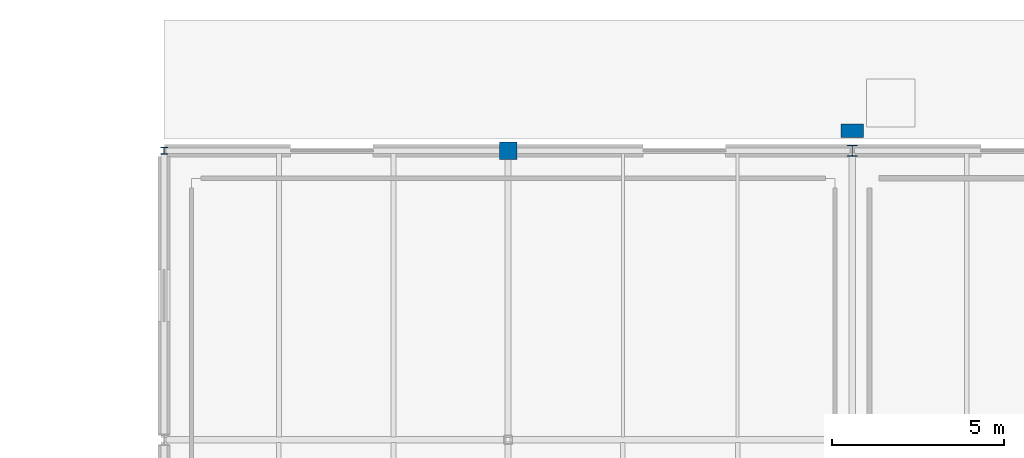
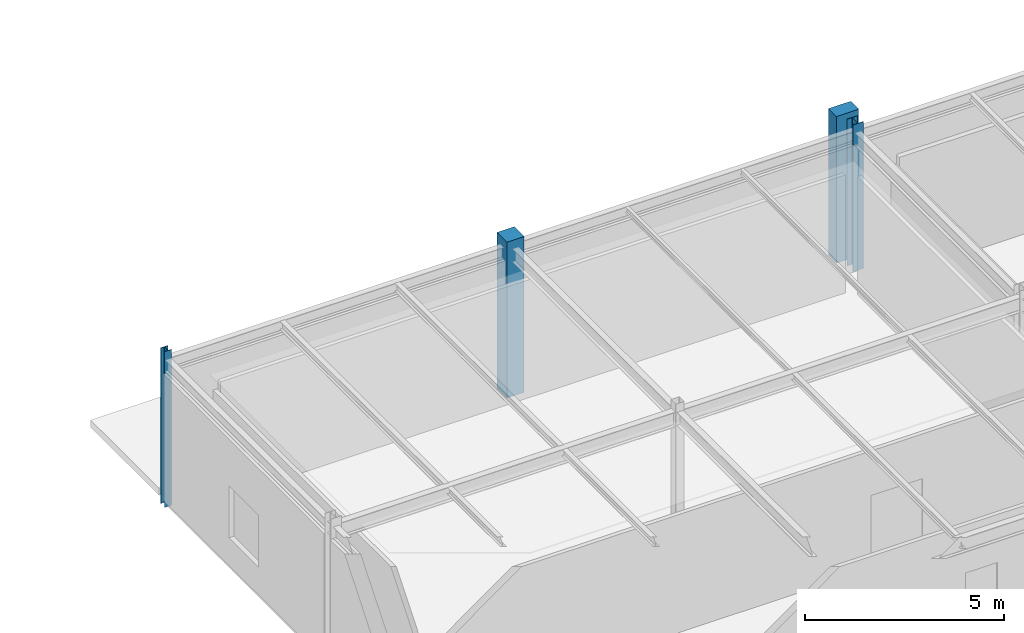
# One storey, part 42 of 119: 4 columns.
"""IFC4 building model written with IfcOpenShell, lengths in metres."""

from ifc_helpers import new_model, si_unit, derived_unit, direction, frame, origin, origin_2d_with_axis, place, context, subcontext, project, spatial, rectangle, i_section, extrude, material, material_profile, profile_set, type_object, element, save


model = new_model("IFC4")

# Units and contexts
model_context = context("Model", 3, precision=1e-05, world=origin(), true_north=direction((0.0, 1.0)))
body_context = subcontext(model_context, "Body", "Model", "MODEL_VIEW")
ifc_project = project(units=[si_unit("LENGTHUNIT", "METRE"), si_unit("AREAUNIT", "SQUARE_METRE"), si_unit("VOLUMEUNIT", "CUBIC_METRE"), si_unit("PLANEANGLEUNIT", "RADIAN"), si_unit("MASSUNIT", "GRAM", prefix="KILO"), derived_unit("THERMALTRANSMITTANCEUNIT", [(si_unit("POWERUNIT", "WATT"), 1), (si_unit("LENGTHUNIT", "METRE"), -2), (si_unit("THERMODYNAMICTEMPERATUREUNIT", "KELVIN"), -1)])], contexts=[model_context])

# Site, building, storey
site_placement = place(None, origin())
site = spatial("IfcSite", under=ifc_project, at=site_placement, CompositionType="ELEMENT")
building_placement = place(site_placement, origin())
building = spatial("IfcBuilding", under=site, at=building_placement, Name="Cinnabar Yard Market Hall", CompositionType="ELEMENT")
storey_placement = place(building_placement, origin())
storey = spatial("IfcBuildingStorey", under=building, at=storey_placement, Name="L00", CompositionType="ELEMENT", Elevation=0.0)

# Columns
ifc_material_1 = material(Name="Steel Grade 300 (300 MPa)", Category="steel")
ifc_material_profile_1 = material_profile(ifc_material_1, i_section(OverallWidth=0.304931640625, OverallDepth=0.30810546875, WebThickness=0.010009765625, FlangeThickness=0.015380859375, FilletRadius=0.0166015625, at=origin_2d_with_axis()), Name="310UC96.8")
ifc_profile_set_1 = profile_set([ifc_material_profile_1], Name="Steel Grade 300 (300 MPa)")
column_type_1 = type_object("IfcColumnType", Name="COL-C09E", PredefinedType="COLUMN", material=ifc_profile_set_1)
column_1_placement = place(storey_placement, frame((86.0, 138.0, 0.0), z_axis=(0.0, 0.0, 1.0), x_axis=(1.0, 0.0, 0.0)))
element("IfcColumn", 1, at=column_1_placement, inside=storey, type_object=column_type_1, Name="Wing Column V3-03-05 L00", PredefinedType="COLUMN", context=body_context, shape_type="SweptSolid", body=[
    extrude(i_section(OverallWidth=0.304931640625, OverallDepth=0.30810546875, WebThickness=0.010009765625, FlangeThickness=0.015380859375, FilletRadius=0.0166015625, at=origin_2d_with_axis()), origin(), (0.0, 0.0, 1.0), 4.5),
])
ifc_material_profile_2 = material_profile(ifc_material_1, i_section(OverallWidth=0.203369140625, OverallDepth=0.203369140625, WebThickness=0.00732421875, FlangeThickness=0.010986328125, FilletRadius=0.011474609375, at=origin_2d_with_axis()), Name="200UC46.2")
ifc_profile_set_2 = profile_set([ifc_material_profile_2], Name="Steel Grade 300 (300 MPa)")
column_type_2 = type_object("IfcColumnType", Name="COL-C13E", PredefinedType="COLUMN", material=ifc_profile_set_2)
column_2_placement = place(storey_placement, frame((66.0, 138.0, -0.280029296875), z_axis=(0.0, 0.0, 1.0), x_axis=(1.0, 0.0, 0.0)))
element("IfcColumn", 2, at=column_2_placement, inside=storey, type_object=column_type_2, Name="Wing Column V3-01-05 L00", PredefinedType="COLUMN", context=body_context, shape_type="SweptSolid", body=[
    extrude(i_section(OverallWidth=0.203369140625, OverallDepth=0.203369140625, WebThickness=0.00732421875, FlangeThickness=0.010986328125, FilletRadius=0.011474609375, at=origin_2d_with_axis()), origin(), (0.0, 0.0, 1.0), 4.780029296875),
])
ifc_material_2 = material(Name="Concrete 40 MPa", Category="concrete")
ifc_material_profile_3 = material_profile(ifc_material_2, rectangle(XDim=0.64990234375, YDim=0.39990234375, at=origin_2d_with_axis()), Name="RC-650x400")
ifc_profile_set_3 = profile_set([ifc_material_profile_3], Name="Concrete 40 MPa")
column_type_3 = type_object("IfcColumnType", Name="COL-PIL2E", PredefinedType="PILASTER", material=ifc_profile_set_3)
column_3_placement = place(storey_placement, frame((86.0, 138.580078125, 0.0), z_axis=(0.0, 0.0, 1.0), x_axis=(1.0, 0.0, 0.0)))
element("IfcColumn", 3, at=column_3_placement, inside=storey, type_object=column_type_3, Name="Engaged Pilaster 08 L00", PredefinedType="PILASTER", context=body_context, shape_type="SweptSolid", body=[
    extrude(rectangle(XDim=0.64990234375, YDim=0.39990234375, at=origin_2d_with_axis()), origin(), (0.0, 0.0, 1.0), 4.5),
])
ifc_material_profile_4 = material_profile(ifc_material_2, rectangle(XDim=0.5, YDim=0.5, at=origin_2d_with_axis()), Name="RC-500x500")
ifc_profile_set_4 = profile_set([ifc_material_profile_4], Name="Concrete 40 MPa")
column_type_4 = type_object("IfcColumnType", Name="COL-RC1E", PredefinedType="COLUMN", material=ifc_profile_set_4)
column_4_placement = place(storey_placement, frame((76.0, 138.0, -0.280029296875), z_axis=(0.0, 0.0, 1.0), x_axis=(1.0, 0.0, 0.0)))
element("IfcColumn", 4, at=column_4_placement, inside=storey, type_object=column_type_4, Name="Wing Column V3-02-05 L00", PredefinedType="COLUMN", context=body_context, shape_type="SweptSolid", body=[
    extrude(rectangle(XDim=0.5, YDim=0.5, at=origin_2d_with_axis()), origin(), (0.0, 0.0, 1.0), 4.780029296875),
])

save(model, "model.ifc")
